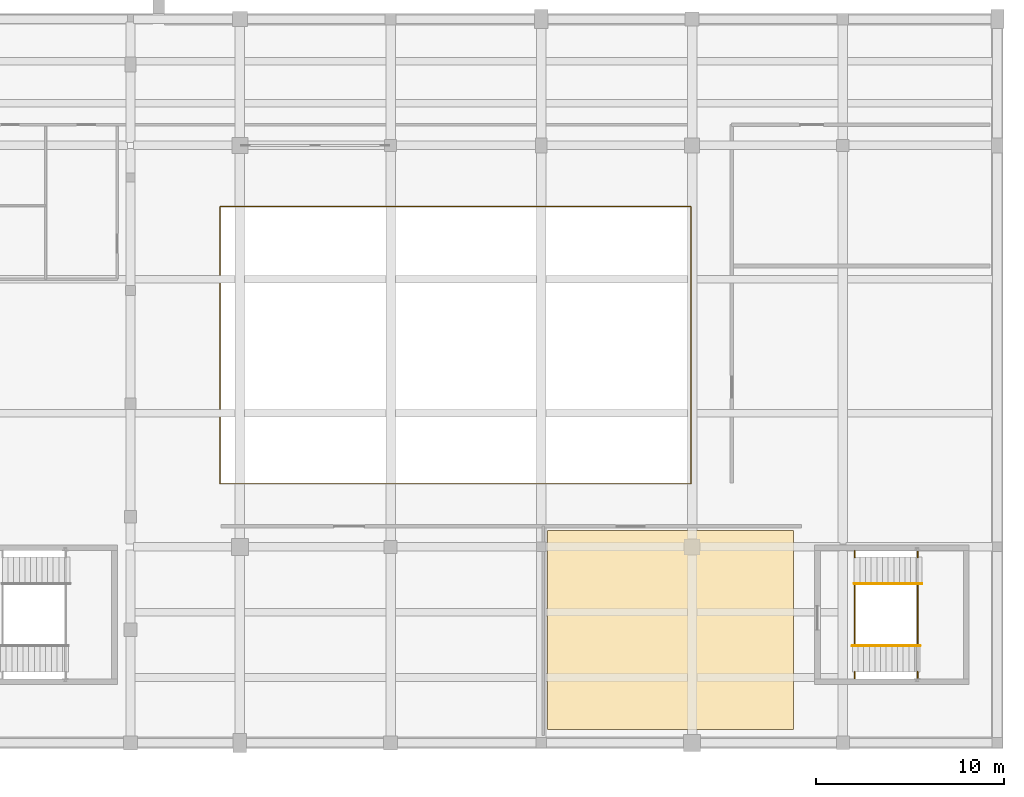
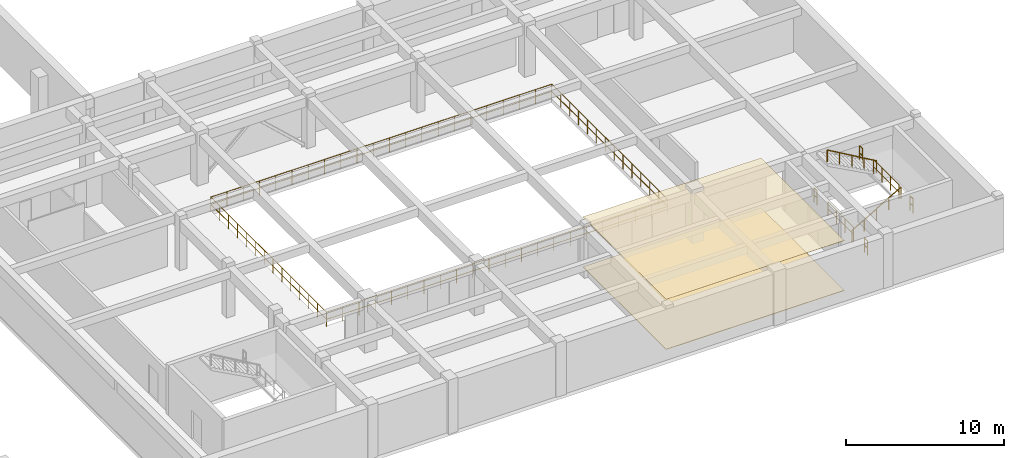
# One storey, part 34 of 35: 10 railings, 2 coverings.
"""IFC4 building model written with IfcOpenShell, lengths in metres."""

from ifc_helpers import new_model, si_unit, direction, frame, origin, origin_2d, place, context, subcontext, project, spatial, polyline, circle, outline, extrude, material, layer, layer_set, type_object, element, save


model = new_model("IFC4")

# Units and contexts
model_context = context("Model", 3, precision=1e-05, world=origin(), true_north=direction((0.0, 1.0)))
body_context = subcontext(model_context, "Body", "Model", "MODEL_VIEW")
ifc_project = project(units=[si_unit("LENGTHUNIT", "METRE"), si_unit("AREAUNIT", "SQUARE_METRE"), si_unit("VOLUMEUNIT", "CUBIC_METRE"), si_unit("PLANEANGLEUNIT", "RADIAN"), si_unit("MASSUNIT", "GRAM", prefix="KILO"), si_unit("THERMODYNAMICTEMPERATUREUNIT", "KELVIN"), si_unit("POWERUNIT", "WATT")], contexts=[model_context])

# Site, building, storey
site_placement = place(None, origin())
site = spatial("IfcSite", under=ifc_project, at=site_placement, CompositionType="ELEMENT")
building_placement = place(site_placement, origin())
building = spatial("IfcBuilding", under=site, at=building_placement, Name="Solvatero Civic Police Headquarters", CompositionType="ELEMENT")
storey_placement = place(building_placement, frame((0.0, 0.0, -4.199951171875)))
storey = spatial("IfcBuildingStorey", under=building, at=storey_placement, Name="B01", CompositionType="ELEMENT", Elevation=-4.199951171875)

# Coverings
ifc_material_1 = material(Name="Mineral-Fibre Acoustic Tile", Category="gypsum")
ifc_layer_1 = layer(ifc_material_1, 0.02490234375)
ifc_layer_set_1 = layer_set([ifc_layer_1], Name="Mineral-Fibre Acoustic Tile")
covering_type_1 = type_object("IfcCoveringType", Name="COV-CEIL-AC", PredefinedType="CEILING", material=ifc_layer_set_1)
covering_1_placement = place(storey_placement, frame((0.0, 0.0, 3.875)))
element("IfcCovering", 1, at=covering_1_placement, inside=storey, type_object=covering_type_1, Name="Acoustic Ceiling Tactical Range Briefing Classroom", PredefinedType="CEILING", context=body_context, shape_type="SweptSolid", body=[
    extrude(outline(polyline([(144.320068359375, 5.52001953125), (144.320068359375, 16.080078125), (157.3798828125, 16.080078125), (157.3798828125, 5.52001953125), (144.320068359375, 5.52001953125)])), origin(), (0.0, 0.0, 1.0), 0.02490234375),
])
ifc_material_2 = material(Name="Venetian Terrazzo Stone", Category="masonry")
ifc_layer_2 = layer(ifc_material_2, 0.034912109375)
ifc_layer_set_2 = layer_set([ifc_layer_2], Name="Venetian Terrazzo Stone")
covering_type_2 = type_object("IfcCoveringType", Name="COV-FLR-TER", PredefinedType="FLOORING", material=ifc_layer_set_2)
covering_2_placement = place(storey_placement, origin())
element("IfcCovering", 2, at=covering_2_placement, inside=storey, type_object=covering_type_2, Name="Flooring Tactical Range Briefing Classroom", PredefinedType="FLOORING", context=body_context, shape_type="SweptSolid", body=[
    extrude(outline(polyline([(144.320068359375, 5.52001953125), (144.320068359375, 16.080078125), (157.3798828125, 16.080078125), (157.3798828125, 5.52001953125), (144.320068359375, 5.52001953125)])), origin(), (0.0, 0.0, 1.0), 0.034912109375),
])

# Railings
ifc_material_3 = material(Name="Painted Galvanized Steel", Category="steel")
railing_type_1 = type_object("IfcRailingType", Name="RL-GRD-110", PredefinedType="GUARDRAIL", material=ifc_material_3)
railing_1_placement = place(storey_placement, frame((160.6298828125, 9.97998046875, 0.0)))
element("IfcRailing", 3, at=railing_1_placement, inside=storey, type_object=railing_type_1, Name="ST-C6 B01 Floor Well Guardrail", PredefinedType="GUARDRAIL", context=body_context, shape_type="SweptSolid", body=[
    extrude(circle(Radius=0.02392578125, at=origin_2d()), frame((0.0, 0.0, 1.09619140625), z_axis=(0.0, 1.0, 0.0), x_axis=(-1.0, 0.0, 0.0)), (0.0, 0.0, 1.0), 3.239990234375),
    extrude(circle(Radius=0.02392578125, at=origin_2d()), frame((0.0, 0.0, 0.5361328125), z_axis=(0.0, 1.0, 0.0), x_axis=(-1.0, 0.0, 0.0)), (0.0, 0.0, 1.0), 3.239990234375),
    extrude(circle(Radius=0.02099609375, at=origin_2d()), origin(), (0.0, 0.0, 1.0), 1.072021484375),
    extrude(circle(Radius=0.02099609375, at=origin_2d()), frame((0.0, 1.080078125, 0.0)), (0.0, 0.0, 1.0), 1.072021484375),
    extrude(circle(Radius=0.02099609375, at=origin_2d()), frame((0.0, 2.159912109375, 0.0)), (0.0, 0.0, 1.0), 1.072021484375),
    extrude(circle(Radius=0.02099609375, at=origin_2d()), frame((0.0, 3.239990234375, 0.0)), (0.0, 0.0, 1.0), 1.072021484375),
])
for number, where, name in (
    (4, (160.6298828125, 8.2099609375, 0.0), "ST-C6 B01 Floor Well South Slot Guardrail"),
    (5, (160.6298828125, 14.6298828125, 0.0), "ST-C6 B01 Floor Well North Slot Guardrail"),
):
    element("IfcRailing", number, at=place(storey_placement, frame(where)), inside=storey, type_object=railing_type_1, Name=name, PredefinedType="GUARDRAIL", context=body_context, shape_type="SweptSolid", body=[
        extrude(circle(Radius=0.02392578125, at=origin_2d()), frame((0.0, 0.0, 1.09619140625), z_axis=(0.0, 1.0, 0.0), x_axis=(-1.0, 0.0, 0.0)), (0.0, 0.0, 1.0), 0.360107421875),
        extrude(circle(Radius=0.02392578125, at=origin_2d()), frame((0.0, 0.0, 0.5361328125), z_axis=(0.0, 1.0, 0.0), x_axis=(-1.0, 0.0, 0.0)), (0.0, 0.0, 1.0), 0.360107421875),
        extrude(circle(Radius=0.02099609375, at=origin_2d()), origin(), (0.0, 0.0, 1.0), 1.072021484375),
        extrude(circle(Radius=0.02099609375, at=origin_2d()), frame((0.0, 0.360107421875, 0.0)), (0.0, 0.0, 1.0), 1.072021484375),
    ])
railing_2_placement = place(storey_placement, frame((163.969970703125, 9.97998046875, 2.099853515625)))
element("IfcRailing", 6, at=railing_2_placement, inside=storey, type_object=railing_type_1, Name="ST-C6 B01 Half-Landing Well Guardrail", PredefinedType="GUARDRAIL", context=body_context, shape_type="SweptSolid", body=[
    extrude(circle(Radius=0.02392578125, at=origin_2d()), frame((0.0, 0.0, 1.09619140625), z_axis=(0.0, 1.0, 0.0), x_axis=(-1.0, 0.0, 0.0)), (0.0, 0.0, 1.0), 3.239990234375),
    extrude(circle(Radius=0.02392578125, at=origin_2d()), frame((0.0, 0.0, 0.5361328125), z_axis=(0.0, 1.0, 0.0), x_axis=(-1.0, 0.0, 0.0)), (0.0, 0.0, 1.0), 3.239990234375),
    extrude(circle(Radius=0.02099609375, at=origin_2d()), origin(), (0.0, 0.0, 1.0), 1.072021484375),
    extrude(circle(Radius=0.02099609375, at=origin_2d()), frame((0.0, 1.080078125, 0.0)), (0.0, 0.0, 1.0), 1.072021484375),
    extrude(circle(Radius=0.02099609375, at=origin_2d()), frame((0.0, 2.159912109375, 0.0)), (0.0, 0.0, 1.0), 1.072021484375),
    extrude(circle(Radius=0.02099609375, at=origin_2d()), frame((0.0, 3.239990234375, 0.0)), (0.0, 0.0, 1.0), 1.072021484375),
])
for number, where, name in (
    (7, (163.969970703125, 8.2099609375, 2.099853515625), "ST-C6 B01 Half-Landing South Slot Guardrail"),
    (8, (163.969970703125, 14.6298828125, 2.099853515625), "ST-C6 B01 Half-Landing North Slot Guardrail"),
):
    element("IfcRailing", number, at=place(storey_placement, frame(where)), inside=storey, type_object=railing_type_1, Name=name, PredefinedType="GUARDRAIL", context=body_context, shape_type="SweptSolid", body=[
        extrude(circle(Radius=0.02392578125, at=origin_2d()), frame((0.0, 0.0, 1.09619140625), z_axis=(0.0, 1.0, 0.0), x_axis=(-1.0, 0.0, 0.0)), (0.0, 0.0, 1.0), 0.360107421875),
        extrude(circle(Radius=0.02392578125, at=origin_2d()), frame((0.0, 0.0, 0.5361328125), z_axis=(0.0, 1.0, 0.0), x_axis=(-1.0, 0.0, 0.0)), (0.0, 0.0, 1.0), 0.360107421875),
        extrude(circle(Radius=0.02099609375, at=origin_2d()), origin(), (0.0, 0.0, 1.0), 1.072021484375),
        extrude(circle(Radius=0.02099609375, at=origin_2d()), frame((0.0, 0.360107421875, 0.0)), (0.0, 0.0, 1.0), 1.072021484375),
    ])
railing_3_placement = place(storey_placement, frame((126.949951171875, 18.550048828125, 0.0)))
element("IfcRailing", 9, at=railing_3_placement, inside=storey, type_object=railing_type_1, Name="B01 Double-Height Gallery Guardrail RL-VOID-B01-RNG SE", PredefinedType="GUARDRAIL", context=body_context, shape_type="SweptSolid", body=[
    extrude(circle(Radius=0.02392578125, at=origin_2d()), frame((0.0, 0.0, 1.09619140625), z_axis=(1.0, 0.0, 0.0), x_axis=(0.0, 1.0, 0.0)), (0.0, 0.0, 1.0), 25.0),
    extrude(circle(Radius=0.02392578125, at=origin_2d()), frame((0.0, 0.0, 0.5361328125), z_axis=(1.0, 0.0, 0.0), x_axis=(0.0, 1.0, 0.0)), (0.0, 0.0, 1.0), 25.0),
    extrude(circle(Radius=0.02392578125, at=origin_2d()), frame((25.0, 0.0, 1.09619140625), z_axis=(0.0, 1.0, 0.0), x_axis=(-1.0, 0.0, 0.0)), (0.0, 0.0, 1.0), 14.699951171875),
    extrude(circle(Radius=0.02392578125, at=origin_2d()), frame((25.0, 0.0, 0.5361328125), z_axis=(0.0, 1.0, 0.0), x_axis=(-1.0, 0.0, 0.0)), (0.0, 0.0, 1.0), 14.699951171875),
    extrude(circle(Radius=0.02099609375, at=origin_2d()), origin(), (0.0, 0.0, 1.0), 1.072021484375),
    extrude(circle(Radius=0.02099609375, at=origin_2d()), frame((1.1904296875, 0.0, 0.0)), (0.0, 0.0, 1.0), 1.072021484375),
    extrude(circle(Radius=0.02099609375, at=origin_2d()), frame((2.380859375, 0.0, 0.0)), (0.0, 0.0, 1.0), 1.072021484375),
    extrude(circle(Radius=0.02099609375, at=origin_2d()), frame((3.571533203125, 0.0, 0.0)), (0.0, 0.0, 1.0), 1.072021484375),
    extrude(circle(Radius=0.02099609375, at=origin_2d()), frame((4.761962890625, 0.0, 0.0)), (0.0, 0.0, 1.0), 1.072021484375),
    extrude(circle(Radius=0.02099609375, at=origin_2d()), frame((5.952392578125, 0.0, 0.0)), (0.0, 0.0, 1.0), 1.072021484375),
    extrude(circle(Radius=0.02099609375, at=origin_2d()), frame((7.142822265625, 0.0, 0.0)), (0.0, 0.0, 1.0), 1.072021484375),
    extrude(circle(Radius=0.02099609375, at=origin_2d()), frame((8.333251953125, 0.0, 0.0)), (0.0, 0.0, 1.0), 1.072021484375),
    extrude(circle(Radius=0.02099609375, at=origin_2d()), frame((9.52392578125, 0.0, 0.0)), (0.0, 0.0, 1.0), 1.072021484375),
    extrude(circle(Radius=0.02099609375, at=origin_2d()), frame((10.71435546875, 0.0, 0.0)), (0.0, 0.0, 1.0), 1.072021484375),
    extrude(circle(Radius=0.02099609375, at=origin_2d()), frame((11.90478515625, 0.0, 0.0)), (0.0, 0.0, 1.0), 1.072021484375),
    extrude(circle(Radius=0.02099609375, at=origin_2d()), frame((13.09521484375, 0.0, 0.0)), (0.0, 0.0, 1.0), 1.072021484375),
    extrude(circle(Radius=0.02099609375, at=origin_2d()), frame((14.28564453125, 0.0, 0.0)), (0.0, 0.0, 1.0), 1.072021484375),
    extrude(circle(Radius=0.02099609375, at=origin_2d()), frame((15.47607421875, 0.0, 0.0)), (0.0, 0.0, 1.0), 1.072021484375),
    extrude(circle(Radius=0.02099609375, at=origin_2d()), frame((16.666748046875, 0.0, 0.0)), (0.0, 0.0, 1.0), 1.072021484375),
    extrude(circle(Radius=0.02099609375, at=origin_2d()), frame((17.857177734375, 0.0, 0.0)), (0.0, 0.0, 1.0), 1.072021484375),
    extrude(circle(Radius=0.02099609375, at=origin_2d()), frame((19.047607421875, 0.0, 0.0)), (0.0, 0.0, 1.0), 1.072021484375),
    extrude(circle(Radius=0.02099609375, at=origin_2d()), frame((20.238037109375, 0.0, 0.0)), (0.0, 0.0, 1.0), 1.072021484375),
    extrude(circle(Radius=0.02099609375, at=origin_2d()), frame((21.428466796875, 0.0, 0.0)), (0.0, 0.0, 1.0), 1.072021484375),
    extrude(circle(Radius=0.02099609375, at=origin_2d()), frame((22.619140625, 0.0, 0.0)), (0.0, 0.0, 1.0), 1.072021484375),
    extrude(circle(Radius=0.02099609375, at=origin_2d()), frame((23.8095703125, 0.0, 0.0)), (0.0, 0.0, 1.0), 1.072021484375),
    extrude(circle(Radius=0.02099609375, at=origin_2d()), frame((25.0, 0.0, 0.0)), (0.0, 0.0, 1.0), 1.072021484375),
    extrude(circle(Radius=0.02099609375, at=origin_2d()), frame((25.0, 1.130859375, 0.0)), (0.0, 0.0, 1.0), 1.072021484375),
    extrude(circle(Radius=0.02099609375, at=origin_2d()), frame((25.0, 2.261474609375, 0.0)), (0.0, 0.0, 1.0), 1.072021484375),
    extrude(circle(Radius=0.02099609375, at=origin_2d()), frame((25.0, 3.392333984375, 0.0)), (0.0, 0.0, 1.0), 1.072021484375),
    extrude(circle(Radius=0.02099609375, at=origin_2d()), frame((25.0, 4.52294921875, 0.0)), (0.0, 0.0, 1.0), 1.072021484375),
    extrude(circle(Radius=0.02099609375, at=origin_2d()), frame((25.0, 5.65380859375, 0.0)), (0.0, 0.0, 1.0), 1.072021484375),
    extrude(circle(Radius=0.02099609375, at=origin_2d()), frame((25.0, 6.78466796875, 0.0)), (0.0, 0.0, 1.0), 1.072021484375),
    extrude(circle(Radius=0.02099609375, at=origin_2d()), frame((25.0, 7.915283203125, 0.0)), (0.0, 0.0, 1.0), 1.072021484375),
    extrude(circle(Radius=0.02099609375, at=origin_2d()), frame((25.0, 9.046142578125, 0.0)), (0.0, 0.0, 1.0), 1.072021484375),
    extrude(circle(Radius=0.02099609375, at=origin_2d()), frame((25.0, 10.177001953125, 0.0)), (0.0, 0.0, 1.0), 1.072021484375),
    extrude(circle(Radius=0.02099609375, at=origin_2d()), frame((25.0, 11.3076171875, 0.0)), (0.0, 0.0, 1.0), 1.072021484375),
    extrude(circle(Radius=0.02099609375, at=origin_2d()), frame((25.0, 12.4384765625, 0.0)), (0.0, 0.0, 1.0), 1.072021484375),
    extrude(circle(Radius=0.02099609375, at=origin_2d()), frame((25.0, 13.569091796875, 0.0)), (0.0, 0.0, 1.0), 1.072021484375),
    extrude(circle(Radius=0.02099609375, at=origin_2d()), frame((25.0, 14.699951171875, 0.0)), (0.0, 0.0, 1.0), 1.072021484375),
])
railing_4_placement = place(storey_placement, frame((151.949951171875, 33.25, 0.0)))
element("IfcRailing", 10, at=railing_4_placement, inside=storey, type_object=railing_type_1, Name="B01 Double-Height Gallery Guardrail RL-VOID-B01-RNG NW", PredefinedType="GUARDRAIL", context=body_context, shape_type="SweptSolid", body=[
    extrude(circle(Radius=0.02392578125, at=origin_2d()), frame((0.0, 0.0, 1.09619140625), z_axis=(-1.0, 0.0, 0.0), x_axis=(0.0, -1.0, 0.0)), (0.0, 0.0, 1.0), 25.0),
    extrude(circle(Radius=0.02392578125, at=origin_2d()), frame((0.0, 0.0, 0.5361328125), z_axis=(-1.0, 0.0, 0.0), x_axis=(0.0, -1.0, 0.0)), (0.0, 0.0, 1.0), 25.0),
    extrude(circle(Radius=0.02392578125, at=origin_2d()), frame((-25.0, 0.0, 1.09619140625), z_axis=(0.0, -1.0, 0.0), x_axis=(1.0, 0.0, 0.0)), (0.0, 0.0, 1.0), 14.679931640625),
    extrude(circle(Radius=0.02392578125, at=origin_2d()), frame((-25.0, 0.0, 0.5361328125), z_axis=(0.0, -1.0, 0.0), x_axis=(1.0, 0.0, 0.0)), (0.0, 0.0, 1.0), 14.679931640625),
    extrude(circle(Radius=0.02099609375, at=origin_2d()), origin(), (0.0, 0.0, 1.0), 1.072021484375),
    extrude(circle(Radius=0.02099609375, at=origin_2d()), frame((-1.1904296875, 0.0, 0.0)), (0.0, 0.0, 1.0), 1.072021484375),
    extrude(circle(Radius=0.02099609375, at=origin_2d()), frame((-2.380859375, 0.0, 0.0)), (0.0, 0.0, 1.0), 1.072021484375),
    extrude(circle(Radius=0.02099609375, at=origin_2d()), frame((-3.571533203125, 0.0, 0.0)), (0.0, 0.0, 1.0), 1.072021484375),
    extrude(circle(Radius=0.02099609375, at=origin_2d()), frame((-4.761962890625, 0.0, 0.0)), (0.0, 0.0, 1.0), 1.072021484375),
    extrude(circle(Radius=0.02099609375, at=origin_2d()), frame((-5.952392578125, 0.0, 0.0)), (0.0, 0.0, 1.0), 1.072021484375),
    extrude(circle(Radius=0.02099609375, at=origin_2d()), frame((-7.142822265625, 0.0, 0.0)), (0.0, 0.0, 1.0), 1.072021484375),
    extrude(circle(Radius=0.02099609375, at=origin_2d()), frame((-8.333251953125, 0.0, 0.0)), (0.0, 0.0, 1.0), 1.072021484375),
    extrude(circle(Radius=0.02099609375, at=origin_2d()), frame((-9.52392578125, 0.0, 0.0)), (0.0, 0.0, 1.0), 1.072021484375),
    extrude(circle(Radius=0.02099609375, at=origin_2d()), frame((-10.71435546875, 0.0, 0.0)), (0.0, 0.0, 1.0), 1.072021484375),
    extrude(circle(Radius=0.02099609375, at=origin_2d()), frame((-11.90478515625, 0.0, 0.0)), (0.0, 0.0, 1.0), 1.072021484375),
    extrude(circle(Radius=0.02099609375, at=origin_2d()), frame((-13.09521484375, 0.0, 0.0)), (0.0, 0.0, 1.0), 1.072021484375),
    extrude(circle(Radius=0.02099609375, at=origin_2d()), frame((-14.28564453125, 0.0, 0.0)), (0.0, 0.0, 1.0), 1.072021484375),
    extrude(circle(Radius=0.02099609375, at=origin_2d()), frame((-15.47607421875, 0.0, 0.0)), (0.0, 0.0, 1.0), 1.072021484375),
    extrude(circle(Radius=0.02099609375, at=origin_2d()), frame((-16.666748046875, 0.0, 0.0)), (0.0, 0.0, 1.0), 1.072021484375),
    extrude(circle(Radius=0.02099609375, at=origin_2d()), frame((-17.857177734375, 0.0, 0.0)), (0.0, 0.0, 1.0), 1.072021484375),
    extrude(circle(Radius=0.02099609375, at=origin_2d()), frame((-19.047607421875, 0.0, 0.0)), (0.0, 0.0, 1.0), 1.072021484375),
    extrude(circle(Radius=0.02099609375, at=origin_2d()), frame((-20.238037109375, 0.0, 0.0)), (0.0, 0.0, 1.0), 1.072021484375),
    extrude(circle(Radius=0.02099609375, at=origin_2d()), frame((-21.428466796875, 0.0, 0.0)), (0.0, 0.0, 1.0), 1.072021484375),
    extrude(circle(Radius=0.02099609375, at=origin_2d()), frame((-22.619140625, 0.0, 0.0)), (0.0, 0.0, 1.0), 1.072021484375),
    extrude(circle(Radius=0.02099609375, at=origin_2d()), frame((-23.8095703125, 0.0, 0.0)), (0.0, 0.0, 1.0), 1.072021484375),
    extrude(circle(Radius=0.02099609375, at=origin_2d()), frame((-25.0, 0.0, 0.0)), (0.0, 0.0, 1.0), 1.072021484375),
    extrude(circle(Radius=0.02099609375, at=origin_2d()), frame((-25.0, -1.129150390625, 0.0)), (0.0, 0.0, 1.0), 1.072021484375),
    extrude(circle(Radius=0.02099609375, at=origin_2d()), frame((-25.0, -2.258544921875, 0.0)), (0.0, 0.0, 1.0), 1.072021484375),
    extrude(circle(Radius=0.02099609375, at=origin_2d()), frame((-25.0, -3.3876953125, 0.0)), (0.0, 0.0, 1.0), 1.072021484375),
    extrude(circle(Radius=0.02099609375, at=origin_2d()), frame((-25.0, -4.516845703125, 0.0)), (0.0, 0.0, 1.0), 1.072021484375),
    extrude(circle(Radius=0.02099609375, at=origin_2d()), frame((-25.0, -5.646240234375, 0.0)), (0.0, 0.0, 1.0), 1.072021484375),
    extrude(circle(Radius=0.02099609375, at=origin_2d()), frame((-25.0, -6.775390625, 0.0)), (0.0, 0.0, 1.0), 1.072021484375),
    extrude(circle(Radius=0.02099609375, at=origin_2d()), frame((-25.0, -7.904541015625, 0.0)), (0.0, 0.0, 1.0), 1.072021484375),
    extrude(circle(Radius=0.02099609375, at=origin_2d()), frame((-25.0, -9.03369140625, 0.0)), (0.0, 0.0, 1.0), 1.072021484375),
    extrude(circle(Radius=0.02099609375, at=origin_2d()), frame((-25.0, -10.1630859375, 0.0)), (0.0, 0.0, 1.0), 1.072021484375),
    extrude(circle(Radius=0.02099609375, at=origin_2d()), frame((-25.0, -11.292236328125, 0.0)), (0.0, 0.0, 1.0), 1.072021484375),
    extrude(circle(Radius=0.02099609375, at=origin_2d()), frame((-25.0, -12.42138671875, 0.0)), (0.0, 0.0, 1.0), 1.072021484375),
    extrude(circle(Radius=0.02099609375, at=origin_2d()), frame((-25.0, -13.55078125, 0.0)), (0.0, 0.0, 1.0), 1.072021484375),
    extrude(circle(Radius=0.02099609375, at=origin_2d()), frame((-25.0, -14.679931640625, 0.0)), (0.0, 0.0, 1.0), 1.072021484375),
])
ifc_material_4 = material(Name="Brushed Stainless Steel", Category="steel")
railing_type_2 = type_object("IfcRailingType", Name="RL-HND-092", PredefinedType="HANDRAIL", material=ifc_material_4)
railing_5_placement = place(storey_placement, frame((160.5, 9.949951171875, 0.0)))
element("IfcRailing", 11, at=railing_5_placement, inside=storey, type_object=railing_type_2, Name="ST-C6 B01 Flight 1 Handrail", PredefinedType="HANDRAIL", context=body_context, shape_type="SweptSolid", body=[
    extrude(circle(Radius=0.02392578125, at=origin_2d()), frame((0.0, 0.0, 0.89599609375), z_axis=(0.863800146258, 0.0, 0.503834603144), x_axis=(0.0, 1.0, 0.0)), (0.0, 0.0, 1.0), 4.167724609375),
    extrude(circle(Radius=0.02099609375, at=origin_2d()), origin(), (0.0, 0.0, 1.0), 0.871826171875),
    extrude(circle(Radius=0.02099609375, at=origin_2d()), frame((0.89990234375, 0.0, 0.52490234375)), (0.0, 0.0, 1.0), 0.871826171875),
    extrude(circle(Radius=0.02099609375, at=origin_2d()), frame((1.800048828125, 0.0, 1.0498046875)), (0.0, 0.0, 1.0), 0.871826171875),
    extrude(circle(Radius=0.02099609375, at=origin_2d()), frame((2.7001953125, 0.0, 1.574951171875)), (0.0, 0.0, 1.0), 0.871826171875),
    extrude(circle(Radius=0.02099609375, at=origin_2d()), frame((3.60009765625, 0.0, 2.099853515625)), (0.0, 0.0, 1.0), 0.871826171875),
])
railing_6_placement = place(storey_placement, frame((164.199951171875, 13.25, 2.099853515625)))
element("IfcRailing", 12, at=railing_6_placement, inside=storey, type_object=railing_type_2, Name="ST-C6 B01 Flight 2 Handrail", PredefinedType="HANDRAIL", context=body_context, shape_type="SweptSolid", body=[
    extrude(circle(Radius=0.02392578125, at=origin_2d()), frame((0.0, 0.0, 0.89599609375), z_axis=(-0.863759778359, 0.0, 0.503903805591), x_axis=(0.0, -1.0, 0.0)), (0.0, 0.0, 1.0), 4.167724609375),
    extrude(circle(Radius=0.02099609375, at=origin_2d()), origin(), (0.0, 0.0, 1.0), 0.871826171875),
    extrude(circle(Radius=0.02099609375, at=origin_2d()), frame((-0.89990234375, 0.0, 0.52490234375)), (0.0, 0.0, 1.0), 0.871826171875),
    extrude(circle(Radius=0.02099609375, at=origin_2d()), frame((-1.7998046875, 0.0, 1.050048828125)), (0.0, 0.0, 1.0), 0.871826171875),
    extrude(circle(Radius=0.02099609375, at=origin_2d()), frame((-2.699951171875, 0.0, 1.5751953125)), (0.0, 0.0, 1.0), 0.871826171875),
    extrude(circle(Radius=0.02099609375, at=origin_2d()), frame((-3.599853515625, 0.0, 2.10009765625)), (0.0, 0.0, 1.0), 0.871826171875),
])

save(model, "model.ifc")
